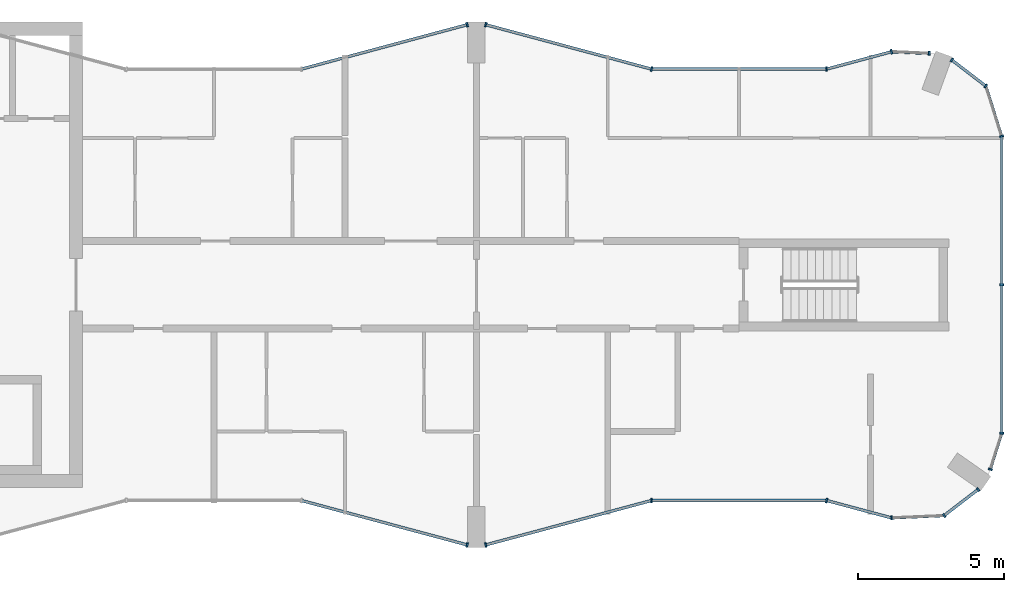
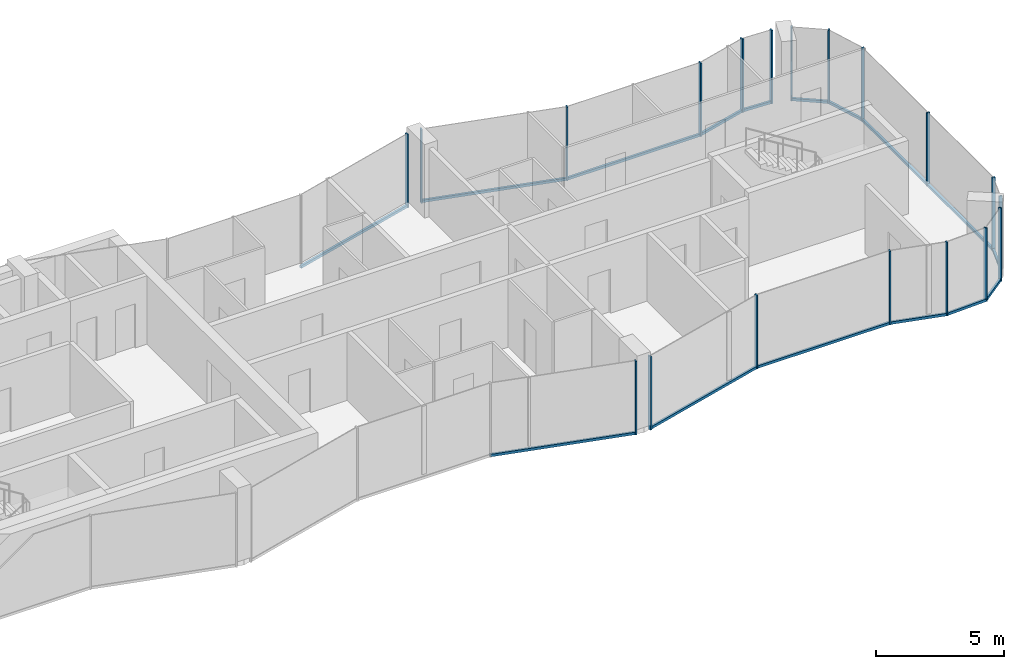
# One storey, part 5 of 10: 34 members, 15 elements without a shape of their own.
"""IFC4 building model written with IfcOpenShell, lengths in metres."""

from ifc_helpers import new_model, si_unit, direction, frame, origin, origin_2d, place, context, subcontext, project, spatial, rectangle, extrude, material, layer, layer_set, material_profile, profile_set, type_object, element, aggregate, save


model = new_model("IFC4")

# Units and contexts
model_context = context("Model", 3, precision=1e-05, world=origin(), true_north=direction((0.0, 1.0)))
body_context = subcontext(model_context, "Body", "Model", "MODEL_VIEW")
ifc_project = project(units=[si_unit("LENGTHUNIT", "METRE"), si_unit("AREAUNIT", "SQUARE_METRE"), si_unit("VOLUMEUNIT", "CUBIC_METRE"), si_unit("PLANEANGLEUNIT", "RADIAN"), si_unit("MASSUNIT", "GRAM", prefix="KILO")], contexts=[model_context])

# Site, building, storey
site_placement = place(None, origin())
site = spatial("IfcSite", under=ifc_project, at=site_placement, CompositionType="ELEMENT")
building_placement = place(site_placement, origin())
building = spatial("IfcBuilding", under=site, at=building_placement, Name="Plateau Cross Towers", CompositionType="ELEMENT")
storey_placement = place(building_placement, frame((0.0, 0.0, 280.89990234375)))
storey = spatial("IfcBuildingStorey", under=building, at=storey_placement, Name="L74", CompositionType="ELEMENT", Elevation=280.89990234375)

# Curtain wall, member
ifc_material_1 = material(Name="Dark low-iron glass", Category="glass")
ifc_layer_1 = layer(ifc_material_1, 0.239990234375)
ifc_layer_set_1 = layer_set([ifc_layer_1], Name="Dark low-iron glass")
curtain_wall_type_1 = type_object("IfcCurtainWallType", Name="Curtain wall flush unitised CW-B", PredefinedType="NOTDEFINED", material=ifc_layer_set_1)
curtain_wall_1_placement = place(storey_placement, origin())
curtain_wall_1 = element("IfcCurtainWall", 1, at=curtain_wall_1_placement, inside=storey, type_object=curtain_wall_type_1, Name="ENV/A/L74/A502_10", PredefinedType="NOTDEFINED")
ifc_material_2 = material(Name="Black anodised aluminium", Category="aluminium")
ifc_material_profile_1 = material_profile(ifc_material_2, rectangle(XDim=0.06005859375, YDim=0.139892578125, at=origin_2d()), Name="MULLION 60x140")
ifc_profile_set_1 = profile_set([ifc_material_profile_1], Name="Black anodised aluminium")
member_type_1 = type_object("IfcMemberType", Name="Mullion 60x140 flush unitised", PredefinedType="MULLION", material=ifc_profile_set_1)
member_1_placement = place(storey_placement, frame((50.223876953125, 1.01123046875, -0.25), z_axis=(0.0, 0.0, 1.0), x_axis=(0.999043701491, 0.043722791671, 0.0)))
member_1 = element("IfcMember", 2, at=member_1_placement, type_object=member_type_1, Name="CW-B mullion 1", PredefinedType="MULLION", context=body_context, shape_type="SweptSolid", body=[
    extrude(rectangle(XDim=0.06005859375, YDim=0.139892578125, at=origin_2d()), origin(), (0.0, 0.0, 1.0), 3.5),
])

# Curtain wall, members
curtain_wall_2_placement = place(storey_placement, origin())
curtain_wall_2 = element("IfcCurtainWall", 3, at=curtain_wall_2_placement, inside=storey, type_object=curtain_wall_type_1, Name="ENV/A/L74/A520_11", PredefinedType="NOTDEFINED")
member_2_placement = place(storey_placement, frame((52.0263671875, 1.090087890625, -0.25), z_axis=(0.0, 0.0, 1.0), x_axis=(0.793315514529, 0.608810721331, 0.0)))
member_2 = element("IfcMember", 4, at=member_2_placement, type_object=member_type_1, Name="CW-B mullion 1", PredefinedType="MULLION", context=body_context, shape_type="SweptSolid", body=[
    extrude(rectangle(XDim=0.06005859375, YDim=0.139892578125, at=origin_2d()), origin(), (0.0, 0.0, 1.0), 3.5),
])
member_3_placement = place(storey_placement, frame((53.193603515625, 1.986083984375, -0.25), z_axis=(0.0, 0.0, 1.0), x_axis=(0.793315514529, 0.608810721331, 0.0)))
member_3 = element("IfcMember", 5, at=member_3_placement, type_object=member_type_1, Name="CW-B mullion 2", PredefinedType="MULLION", context=body_context, shape_type="SweptSolid", body=[
    extrude(rectangle(XDim=0.06005859375, YDim=0.139892578125, at=origin_2d()), origin(), (0.0, 0.0, 1.0), 3.5),
])

# Curtain wall, member
curtain_wall_3_placement = place(storey_placement, origin())
curtain_wall_3 = element("IfcCurtainWall", 6, at=curtain_wall_3_placement, inside=storey, type_object=curtain_wall_type_1, Name="ENV/A/L74/A536_27", PredefinedType="NOTDEFINED")
member_4_placement = place(storey_placement, frame((53.611083984375, 2.67529296875, -0.25), z_axis=(0.0, 0.0, 1.0), x_axis=(0.300686174994, 0.95372313811, 0.0)))
member_4 = element("IfcMember", 7, at=member_4_placement, type_object=member_type_1, Name="CW-B mullion 1", PredefinedType="MULLION", context=body_context, shape_type="SweptSolid", body=[
    extrude(rectangle(XDim=0.06005859375, YDim=0.139892578125, at=origin_2d()), origin(), (0.0, 0.0, 1.0), 3.5),
])

# Curtain wall, members
curtain_wall_4_placement = place(storey_placement, origin())
curtain_wall_4 = element("IfcCurtainWall", 8, at=curtain_wall_4_placement, inside=storey, type_object=curtain_wall_type_1, Name="ENV/A/L74/A540_39", PredefinedType="NOTDEFINED")
member_5_placement = place(storey_placement, frame((54.0, 3.9091796875, -0.25), z_axis=(0.0, 0.0, 1.0), x_axis=(0.0, 1.0, 0.0)))
member_5 = element("IfcMember", 9, at=member_5_placement, type_object=member_type_1, Name="CW-B mullion 1", PredefinedType="MULLION", context=body_context, shape_type="SweptSolid", body=[
    extrude(rectangle(XDim=0.06005859375, YDim=0.139892578125, at=origin_2d()), origin(), (0.0, 0.0, 1.0), 3.5),
])
member_6_placement = place(storey_placement, frame((54.0, 9.0, -0.25), z_axis=(0.0, 0.0, 1.0), x_axis=(0.0, 1.0, 0.0)))
member_6 = element("IfcMember", 10, at=member_6_placement, type_object=member_type_1, Name="CW-B mullion 2", PredefinedType="MULLION", context=body_context, shape_type="SweptSolid", body=[
    extrude(rectangle(XDim=0.06005859375, YDim=0.139892578125, at=origin_2d()), origin(), (0.0, 0.0, 1.0), 3.5),
])

# Curtain wall, member
curtain_wall_5_placement = place(storey_placement, origin())
curtain_wall_5 = element("IfcCurtainWall", 11, at=curtain_wall_5_placement, inside=storey, type_object=curtain_wall_type_1, Name="ENV/A/L74/A540_141", PredefinedType="NOTDEFINED")
member_7_placement = place(storey_placement, frame((54.0, 14.0908203125, -0.25), z_axis=(0.0, 0.0, 1.0), x_axis=(-0.300686174994, 0.95372313811, 0.0)))
member_7 = element("IfcMember", 12, at=member_7_placement, type_object=member_type_1, Name="CW-B mullion 1", PredefinedType="MULLION", context=body_context, shape_type="SweptSolid", body=[
    extrude(rectangle(XDim=0.06005859375, YDim=0.139892578125, at=origin_2d()), origin(), (0.0, 0.0, 1.0), 3.5),
])

# Curtain wall, members
curtain_wall_6_placement = place(storey_placement, origin())
curtain_wall_6 = element("IfcCurtainWall", 13, at=curtain_wall_6_placement, inside=storey, type_object=curtain_wall_type_1, Name="ENV/A/L74/A535_158", PredefinedType="NOTDEFINED")
member_8_placement = place(storey_placement, frame((53.45751953125, 15.8115234375, -0.25), z_axis=(0.0, 0.0, 1.0), x_axis=(-0.793315514529, 0.608810721331, 0.0)))
member_8 = element("IfcMember", 14, at=member_8_placement, type_object=member_type_1, Name="CW-B mullion 1", PredefinedType="MULLION", context=body_context, shape_type="SweptSolid", body=[
    extrude(rectangle(XDim=0.06005859375, YDim=0.139892578125, at=origin_2d()), origin(), (0.0, 0.0, 1.0), 3.5),
])
member_9_placement = place(storey_placement, frame((52.290283203125, 16.707275390625, -0.25), z_axis=(0.0, 0.0, 1.0), x_axis=(-0.793315514529, 0.608810721331, 0.0)))
member_9 = element("IfcMember", 15, at=member_9_placement, type_object=member_type_1, Name="CW-B mullion 2", PredefinedType="MULLION", context=body_context, shape_type="SweptSolid", body=[
    extrude(rectangle(XDim=0.06005859375, YDim=0.139892578125, at=origin_2d()), origin(), (0.0, 0.0, 1.0), 3.5),
])

# Curtain wall, member
curtain_wall_7_placement = place(storey_placement, origin())
curtain_wall_7 = element("IfcCurtainWall", 16, at=curtain_wall_7_placement, inside=storey, type_object=curtain_wall_type_1, Name="ENV/A/L74/A515_169", PredefinedType="NOTDEFINED")
member_10_placement = place(storey_placement, frame((51.516357421875, 16.93212890625, -0.25), z_axis=(0.0, 0.0, 1.0), x_axis=(-0.999043701491, 0.043722791671, 0.0)))
member_10 = element("IfcMember", 17, at=member_10_placement, type_object=member_type_1, Name="CW-B mullion 1", PredefinedType="MULLION", context=body_context, shape_type="SweptSolid", body=[
    extrude(rectangle(XDim=0.06005859375, YDim=0.139892578125, at=origin_2d()), origin(), (0.0, 0.0, 1.0), 3.5),
])

ifc_layer_2 = layer(ifc_material_1, 0.260009765625)
ifc_layer_set_2 = layer_set([ifc_layer_2], Name="Dark low-iron glass")
curtain_wall_type_2 = type_object("IfcCurtainWallType", Name="Curtain wall fluted unitised CW-A", PredefinedType="NOTDEFINED", material=ifc_layer_set_2)
curtain_wall_8_placement = place(storey_placement, origin())
curtain_wall_8 = element("IfcCurtainWall", 18, at=curtain_wall_8_placement, inside=storey, type_object=curtain_wall_type_2, Name="ENV/A/L74/A300_16", PredefinedType="NOTDEFINED")
ifc_material_profile_2 = material_profile(ifc_material_2, rectangle(XDim=0.06005859375, YDim=0.159912109375, at=origin_2d()), Name="MULLION 60x160")
ifc_profile_set_2 = profile_set([ifc_material_profile_2], Name="Black anodised aluminium")
member_type_2 = type_object("IfcMemberType", Name="Mullion 60x160 fluted unitised", PredefinedType="MULLION", material=ifc_profile_set_2)
member_11_placement = place(storey_placement, frame((35.68212890625, 0.085205078125, -0.25), z_axis=(0.0, 0.0, 1.0), x_axis=(0.965957983404, -0.258699003279, 0.0)))
member_11 = element("IfcMember", 19, at=member_11_placement, type_object=member_type_2, Name="CW-A mullion 2", PredefinedType="MULLION", context=body_context, shape_type="SweptSolid", body=[
    extrude(rectangle(XDim=0.06005859375, YDim=0.159912109375, at=origin_2d()), origin(), (0.0, 0.0, 1.0), 3.5),
])

curtain_wall_9_placement = place(storey_placement, origin())
curtain_wall_9 = element("IfcCurtainWall", 20, at=curtain_wall_9_placement, inside=storey, type_object=curtain_wall_type_2, Name="ENV/A/L74/A363_1", PredefinedType="NOTDEFINED")
member_12_placement = place(storey_placement, frame((36.31787109375, 0.085205078125, -0.25), z_axis=(0.0, 0.0, 1.0), x_axis=(0.965957983404, 0.258699003279, 0.0)))
member_12 = element("IfcMember", 21, at=member_12_placement, type_object=member_type_2, Name="CW-A mullion 1", PredefinedType="MULLION", context=body_context, shape_type="SweptSolid", body=[
    extrude(rectangle(XDim=0.06005859375, YDim=0.159912109375, at=origin_2d()), origin(), (0.0, 0.0, 1.0), 3.5),
])

curtain_wall_10_placement = place(storey_placement, origin())
curtain_wall_10 = element("IfcCurtainWall", 22, at=curtain_wall_10_placement, inside=storey, type_object=curtain_wall_type_2, Name="ENV/A/L74/A420_16", PredefinedType="NOTDEFINED")
member_13_placement = place(storey_placement, frame((42.0, 1.60693359375, -0.25), z_axis=(0.0, 0.0, 1.0), x_axis=(1.0, 0.0, 0.0)))
member_13 = element("IfcMember", 23, at=member_13_placement, type_object=member_type_2, Name="CW-A mullion 1", PredefinedType="MULLION", context=body_context, shape_type="SweptSolid", body=[
    extrude(rectangle(XDim=0.06005859375, YDim=0.159912109375, at=origin_2d()), origin(), (0.0, 0.0, 1.0), 3.5),
])

curtain_wall_11_placement = place(storey_placement, origin())
curtain_wall_11 = element("IfcCurtainWall", 24, at=curtain_wall_11_placement, inside=storey, type_object=curtain_wall_type_2, Name="ENV/A/L74/A480_16", PredefinedType="NOTDEFINED")
member_14_placement = place(storey_placement, frame((48.0, 1.60693359375, -0.25), z_axis=(0.0, 0.0, 1.0), x_axis=(0.965957962328, -0.258699081978, 0.0)))
member_14 = element("IfcMember", 25, at=member_14_placement, type_object=member_type_2, Name="CW-A mullion 1", PredefinedType="MULLION", context=body_context, shape_type="SweptSolid", body=[
    extrude(rectangle(XDim=0.06005859375, YDim=0.159912109375, at=origin_2d()), origin(), (0.0, 0.0, 1.0), 3.5),
])

curtain_wall_12_placement = place(storey_placement, origin())
curtain_wall_12 = element("IfcCurtainWall", 26, at=curtain_wall_12_placement, inside=storey, type_object=curtain_wall_type_2, Name="ENV/A/L74/A502_170", PredefinedType="NOTDEFINED")
member_15_placement = place(storey_placement, frame((50.223876953125, 16.98876953125, -0.25), z_axis=(0.0, 0.0, 1.0), x_axis=(-0.965957962328, -0.258699081978, 0.0)))
member_15 = element("IfcMember", 27, at=member_15_placement, type_object=member_type_2, Name="CW-A mullion 1", PredefinedType="MULLION", context=body_context, shape_type="SweptSolid", body=[
    extrude(rectangle(XDim=0.06005859375, YDim=0.159912109375, at=origin_2d()), origin(), (0.0, 0.0, 1.0), 3.5),
])

curtain_wall_13_placement = place(storey_placement, origin())
curtain_wall_13 = element("IfcCurtainWall", 28, at=curtain_wall_13_placement, inside=storey, type_object=curtain_wall_type_2, Name="ENV/A/L74/A480_164", PredefinedType="NOTDEFINED")
member_16_placement = place(storey_placement, frame((48.0, 16.39306640625, -0.25), z_axis=(0.0, 0.0, 1.0), x_axis=(-1.0, 0.0, 0.0)))
member_16 = element("IfcMember", 29, at=member_16_placement, type_object=member_type_2, Name="CW-A mullion 1", PredefinedType="MULLION", context=body_context, shape_type="SweptSolid", body=[
    extrude(rectangle(XDim=0.06005859375, YDim=0.159912109375, at=origin_2d()), origin(), (0.0, 0.0, 1.0), 3.5),
])

# Curtain wall, members
curtain_wall_14_placement = place(storey_placement, origin())
curtain_wall_14 = element("IfcCurtainWall", 30, at=curtain_wall_14_placement, inside=storey, type_object=curtain_wall_type_2, Name="ENV/A/L74/A420_164", PredefinedType="NOTDEFINED")
member_17_placement = place(storey_placement, frame((42.0, 16.39306640625, -0.25), z_axis=(0.0, 0.0, 1.0), x_axis=(-0.965957983404, 0.258699003279, 0.0)))
member_17 = element("IfcMember", 31, at=member_17_placement, type_object=member_type_2, Name="CW-A mullion 1", PredefinedType="MULLION", context=body_context, shape_type="SweptSolid", body=[
    extrude(rectangle(XDim=0.06005859375, YDim=0.159912109375, at=origin_2d()), origin(), (0.0, 0.0, 1.0), 3.5),
])
member_18_placement = place(storey_placement, frame((36.31787109375, 17.914794921875, -0.25), z_axis=(0.0, 0.0, 1.0), x_axis=(-0.965957983404, 0.258699003279, 0.0)))
member_18 = element("IfcMember", 32, at=member_18_placement, type_object=member_type_2, Name="CW-A mullion 2", PredefinedType="MULLION", context=body_context, shape_type="SweptSolid", body=[
    extrude(rectangle(XDim=0.06005859375, YDim=0.159912109375, at=origin_2d()), origin(), (0.0, 0.0, 1.0), 3.5),
])

# Curtain wall, member
curtain_wall_15_placement = place(storey_placement, origin())
curtain_wall_15 = element("IfcCurtainWall", 33, at=curtain_wall_15_placement, inside=storey, type_object=curtain_wall_type_2, Name="ENV/A/L74/A357_179", PredefinedType="NOTDEFINED")
member_19_placement = place(storey_placement, frame((35.68212890625, 17.914794921875, -0.25), z_axis=(0.0, 0.0, 1.0), x_axis=(-0.965957983404, -0.258699003279, 0.0)))
member_19 = element("IfcMember", 34, at=member_19_placement, type_object=member_type_2, Name="CW-A mullion 1", PredefinedType="MULLION", context=body_context, shape_type="SweptSolid", body=[
    extrude(rectangle(XDim=0.06005859375, YDim=0.159912109375, at=origin_2d()), origin(), (0.0, 0.0, 1.0), 3.5),
])

# Member
ifc_material_profile_3 = material_profile(ifc_material_2, rectangle(XDim=0.10009765625, YDim=0.1201171875, at=origin_2d()), Name="TRANSOM 100x120")
ifc_profile_set_3 = profile_set([ifc_material_profile_3], Name="Black anodised aluminium")
member_type_3 = type_object("IfcMemberType", Name="Transom 100x120 flush unitised", PredefinedType="USERDEFINED", material=ifc_profile_set_3)
member_20_placement = place(storey_placement, frame((50.223876953125, 1.01123046875, -0.18994140625), z_axis=(0.999044377355, 0.043707345779, 0.0), x_axis=(-0.043707345779, 0.999044377355, 0.0)))
member_20 = element("IfcMember", 35, at=member_20_placement, type_object=member_type_3, Name="CW-B transom", ObjectType="TRANSOM", PredefinedType="USERDEFINED", context=body_context, shape_type="SweptSolid", body=[
    extrude(rectangle(XDim=0.10009765625, YDim=0.1201171875, at=origin_2d()), origin(), (0.0, 0.0, 1.0), 1.80419921875),
])

aggregate(curtain_wall_1, [member_1, member_20])

member_21_placement = place(storey_placement, frame((52.0263671875, 1.090087890625, -0.18994140625), z_axis=(0.793240368515, 0.608908628415, 0.0), x_axis=(-0.608908628415, 0.793240368515, 0.0)))
member_21 = element("IfcMember", 36, at=member_21_placement, type_object=member_type_3, Name="CW-B transom", ObjectType="TRANSOM", PredefinedType="USERDEFINED", context=body_context, shape_type="SweptSolid", body=[
    extrude(rectangle(XDim=0.10009765625, YDim=0.1201171875, at=origin_2d()), origin(), (0.0, 0.0, 1.0), 1.471435546875),
])

aggregate(curtain_wall_2, [member_2, member_3, member_21])

member_22_placement = place(storey_placement, frame((53.611083984375, 2.67529296875, -0.18994140625), z_axis=(0.300616528216, 0.953745093284, 0.0), x_axis=(-0.953745093284, 0.300616528216, 0.0)))
member_22 = element("IfcMember", 37, at=member_22_placement, type_object=member_type_3, Name="CW-B transom", ObjectType="TRANSOM", PredefinedType="USERDEFINED", context=body_context, shape_type="SweptSolid", body=[
    extrude(rectangle(XDim=0.10009765625, YDim=0.1201171875, at=origin_2d()), origin(), (0.0, 0.0, 1.0), 1.293701171875),
])

aggregate(curtain_wall_3, [member_4, member_22])

member_23_placement = place(storey_placement, frame((54.0, 3.9091796875, -0.18994140625), z_axis=(0.0, 1.0, 0.0), x_axis=(-1.0, 0.0, 0.0)))
member_23 = element("IfcMember", 38, at=member_23_placement, type_object=member_type_3, Name="CW-B transom", ObjectType="TRANSOM", PredefinedType="USERDEFINED", context=body_context, shape_type="SweptSolid", body=[
    extrude(rectangle(XDim=0.10009765625, YDim=0.1201171875, at=origin_2d()), origin(), (0.0, 0.0, 1.0), 10.181640625),
])

aggregate(curtain_wall_4, [member_5, member_6, member_23])

member_24_placement = place(storey_placement, frame((54.0, 14.0908203125, -0.18994140625), z_axis=(-0.30067799945, 0.953725715626, 0.0), x_axis=(-0.953725715626, -0.30067799945, 0.0)))
member_24 = element("IfcMember", 39, at=member_24_placement, type_object=member_type_3, Name="CW-B transom", ObjectType="TRANSOM", PredefinedType="USERDEFINED", context=body_context, shape_type="SweptSolid", body=[
    extrude(rectangle(XDim=0.10009765625, YDim=0.1201171875, at=origin_2d()), origin(), (0.0, 0.0, 1.0), 1.80419921875),
])

aggregate(curtain_wall_5, [member_7, member_24])

member_25_placement = place(storey_placement, frame((53.45751953125, 15.8115234375, -0.18994140625), z_axis=(-0.793320508571, 0.608804213751, 0.0), x_axis=(-0.608804213751, -0.793320508571, 0.0)))
member_25 = element("IfcMember", 40, at=member_25_placement, type_object=member_type_3, Name="CW-B transom", ObjectType="TRANSOM", PredefinedType="USERDEFINED", context=body_context, shape_type="SweptSolid", body=[
    extrude(rectangle(XDim=0.10009765625, YDim=0.1201171875, at=origin_2d()), origin(), (0.0, 0.0, 1.0), 1.471435546875),
])

aggregate(curtain_wall_6, [member_8, member_9, member_25])

member_26_placement = place(storey_placement, frame((51.516357421875, 16.93212890625, -0.18994140625), z_axis=(-0.999041144614, 0.043781175963, 0.0), x_axis=(-0.043781175963, -0.999041144614, 0.0)))
member_26 = element("IfcMember", 41, at=member_26_placement, type_object=member_type_3, Name="CW-B transom", ObjectType="TRANSOM", PredefinedType="USERDEFINED", context=body_context, shape_type="SweptSolid", body=[
    extrude(rectangle(XDim=0.10009765625, YDim=0.1201171875, at=origin_2d()), origin(), (0.0, 0.0, 1.0), 1.293701171875),
])

aggregate(curtain_wall_7, [member_10, member_26])

ifc_material_profile_4 = material_profile(ifc_material_2, rectangle(XDim=0.10009765625, YDim=0.1201171875, at=origin_2d()), Name="TRANSOM 100x120")
ifc_profile_set_4 = profile_set([ifc_material_profile_4], Name="Black anodised aluminium")
member_type_4 = type_object("IfcMemberType", Name="Transom 100x120 fluted unitised", PredefinedType="USERDEFINED", material=ifc_profile_set_4)
member_27_placement = place(storey_placement, frame((30.0, 1.60693359375, -0.18994140625), z_axis=(0.965959534794, -0.258693210465, 0.0), x_axis=(0.258693210465, 0.965959534794, 0.0)))
member_27 = element("IfcMember", 42, at=member_27_placement, type_object=member_type_4, Name="CW-A transom", ObjectType="TRANSOM", PredefinedType="USERDEFINED", context=body_context, shape_type="SweptSolid", body=[
    extrude(rectangle(XDim=0.10009765625, YDim=0.1201171875, at=origin_2d()), origin(), (0.0, 0.0, 1.0), 5.88232421875),
])

aggregate(curtain_wall_8, [member_11, member_27])

member_28_placement = place(storey_placement, frame((36.31787109375, 0.085205078125, -0.18994140625), z_axis=(0.965959534794, 0.258693210465, 0.0), x_axis=(-0.258693210465, 0.965959534794, 0.0)))
member_28 = element("IfcMember", 43, at=member_28_placement, type_object=member_type_4, Name="CW-A transom", ObjectType="TRANSOM", PredefinedType="USERDEFINED", context=body_context, shape_type="SweptSolid", body=[
    extrude(rectangle(XDim=0.10009765625, YDim=0.1201171875, at=origin_2d()), origin(), (0.0, 0.0, 1.0), 5.88232421875),
])

aggregate(curtain_wall_9, [member_12, member_28])

member_29_placement = place(storey_placement, frame((42.0, 1.60693359375, -0.18994140625), z_axis=(1.0, 0.0, 0.0), x_axis=(0.0, 1.0, 0.0)))
member_29 = element("IfcMember", 44, at=member_29_placement, type_object=member_type_4, Name="CW-A transom", ObjectType="TRANSOM", PredefinedType="USERDEFINED", context=body_context, shape_type="SweptSolid", body=[
    extrude(rectangle(XDim=0.10009765625, YDim=0.1201171875, at=origin_2d()), origin(), (0.0, 0.0, 1.0), 6.0),
])

aggregate(curtain_wall_10, [member_13, member_29])

member_30_placement = place(storey_placement, frame((48.0, 1.60693359375, -0.18994140625), z_axis=(0.965945685136, -0.258744919501, 0.0), x_axis=(0.258744919501, 0.965945685136, 0.0)))
member_30 = element("IfcMember", 45, at=member_30_placement, type_object=member_type_4, Name="CW-A transom", ObjectType="TRANSOM", PredefinedType="USERDEFINED", context=body_context, shape_type="SweptSolid", body=[
    extrude(rectangle(XDim=0.10009765625, YDim=0.1201171875, at=origin_2d()), origin(), (0.0, 0.0, 1.0), 2.30224609375),
])

aggregate(curtain_wall_11, [member_14, member_30])

member_31_placement = place(storey_placement, frame((50.223876953125, 16.98876953125, -0.18994140625), z_axis=(-0.965945685136, -0.258744919501, 0.0), x_axis=(0.258744919501, -0.965945685136, 0.0)))
member_31 = element("IfcMember", 46, at=member_31_placement, type_object=member_type_4, Name="CW-A transom", ObjectType="TRANSOM", PredefinedType="USERDEFINED", context=body_context, shape_type="SweptSolid", body=[
    extrude(rectangle(XDim=0.10009765625, YDim=0.1201171875, at=origin_2d()), origin(), (0.0, 0.0, 1.0), 2.30224609375),
])

aggregate(curtain_wall_12, [member_15, member_31])

member_32_placement = place(storey_placement, frame((48.0, 16.39306640625, -0.18994140625), z_axis=(-1.0, 0.0, 0.0), x_axis=(0.0, -1.0, 0.0)))
member_32 = element("IfcMember", 47, at=member_32_placement, type_object=member_type_4, Name="CW-A transom", ObjectType="TRANSOM", PredefinedType="USERDEFINED", context=body_context, shape_type="SweptSolid", body=[
    extrude(rectangle(XDim=0.10009765625, YDim=0.1201171875, at=origin_2d()), origin(), (0.0, 0.0, 1.0), 6.0),
])

aggregate(curtain_wall_13, [member_16, member_32])

member_33_placement = place(storey_placement, frame((42.0, 16.39306640625, -0.18994140625), z_axis=(-0.965959534794, 0.258693210465, 0.0), x_axis=(-0.258693210465, -0.965959534794, 0.0)))
member_33 = element("IfcMember", 48, at=member_33_placement, type_object=member_type_4, Name="CW-A transom", ObjectType="TRANSOM", PredefinedType="USERDEFINED", context=body_context, shape_type="SweptSolid", body=[
    extrude(rectangle(XDim=0.10009765625, YDim=0.1201171875, at=origin_2d()), origin(), (0.0, 0.0, 1.0), 5.88232421875),
])

aggregate(curtain_wall_14, [member_17, member_18, member_33])

member_34_placement = place(storey_placement, frame((35.68212890625, 17.914794921875, -0.18994140625), z_axis=(-0.965959534794, -0.258693210465, 0.0), x_axis=(0.258693210465, -0.965959534794, 0.0)))
member_34 = element("IfcMember", 49, at=member_34_placement, type_object=member_type_4, Name="CW-A transom", ObjectType="TRANSOM", PredefinedType="USERDEFINED", context=body_context, shape_type="SweptSolid", body=[
    extrude(rectangle(XDim=0.10009765625, YDim=0.1201171875, at=origin_2d()), origin(), (0.0, 0.0, 1.0), 5.88232421875),
])

aggregate(curtain_wall_15, [member_19, member_34])

save(model, "model.ifc")
